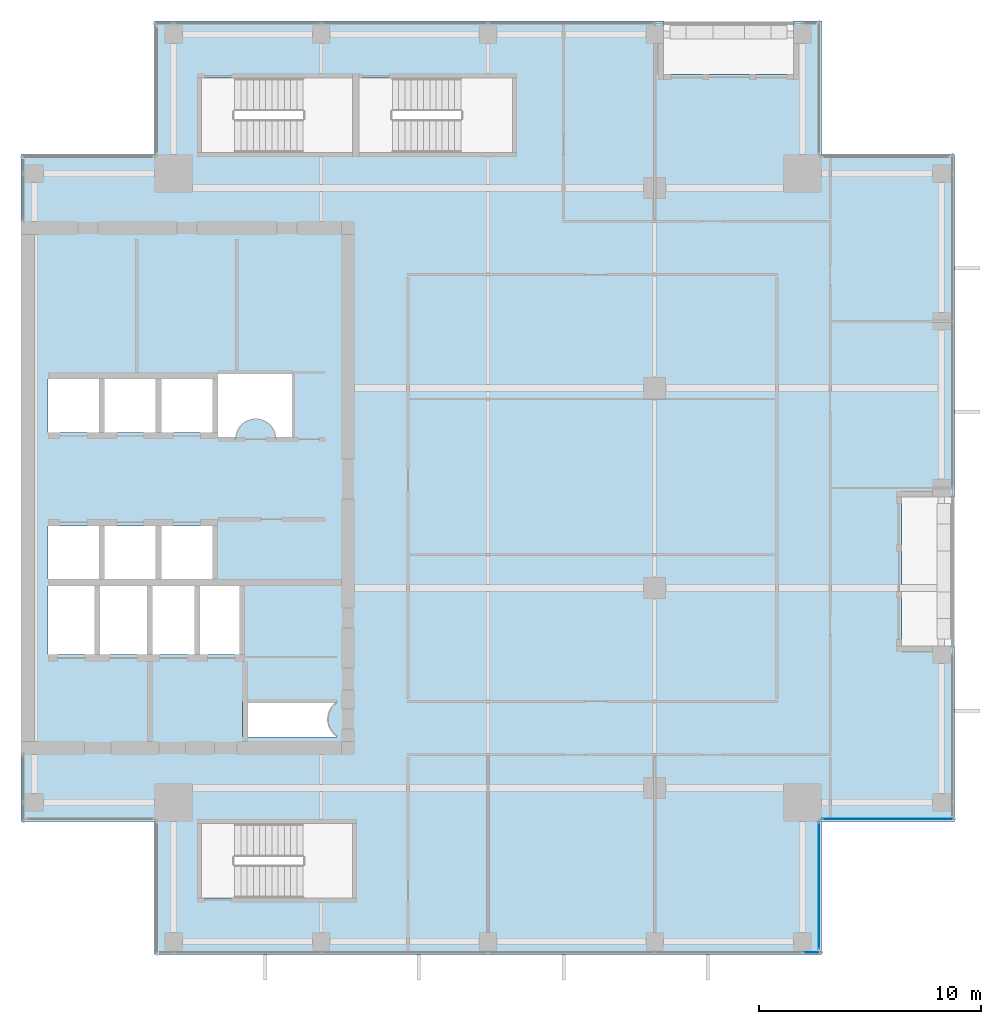
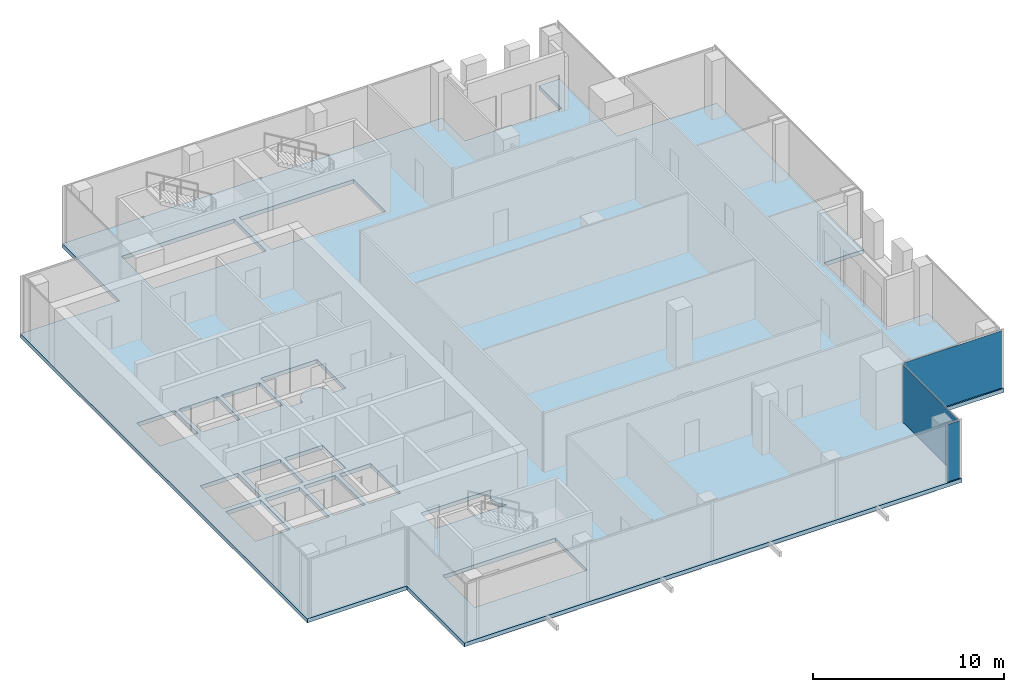
# One storey, part 20 of 29: 3 plates, 1 slab, 3 elements without a shape of their own.
"""IFC4 building model written with IfcOpenShell, lengths in metres."""

from ifc_helpers import new_model, si_unit, direction, frame, origin, origin_2d, place, context, subcontext, project, spatial, polyline, rectangle, outline, extrude, source, transform, mapped, material, layer, layer_set, type_object, element, aggregate, save


model = new_model("IFC4")

# Units and contexts
model_context = context("Model", 3, precision=1e-05, world=origin(), true_north=direction((0.0, 1.0)))
body_context = subcontext(model_context, "Body", "Model", "MODEL_VIEW")
ifc_project = project(units=[si_unit("LENGTHUNIT", "METRE"), si_unit("AREAUNIT", "SQUARE_METRE"), si_unit("VOLUMEUNIT", "CUBIC_METRE"), si_unit("PLANEANGLEUNIT", "RADIAN"), si_unit("MASSUNIT", "GRAM", prefix="KILO")], contexts=[model_context])

# Site, building, storey
site_placement = place(None, origin())
site = spatial("IfcSite", under=ifc_project, at=site_placement, CompositionType="ELEMENT")
building_placement = place(site_placement, origin())
building = spatial("IfcBuilding", under=site, at=building_placement, Name="Khomas Fold Tower", CompositionType="ELEMENT")
storey_placement = place(building_placement, frame((0.0, 0.0, 286.199951171875)))
storey = spatial("IfcBuildingStorey", under=building, at=storey_placement, Name="L64", CompositionType="ELEMENT", Elevation=286.199951171875)

# Slab
ifc_material_1 = material(Name="Concrete C40/50", Category="concrete")
ifc_layer_1 = layer(ifc_material_1, 0.25)
ifc_layer_set_1 = layer_set([ifc_layer_1], Name="Concrete C40/50")
slab_type = type_object("IfcSlabType", Name="RC floor slab 250", PredefinedType="FLOOR", material=ifc_layer_set_1)
shared_shape_1 = source(origin(), body_context, "Body", "SweptSolid", [
    extrude(outline(polyline([(6.0, 12.0), (12.0, 12.0), (12.0, 6.0), (42.0, 6.0), (42.0, 12.0), (48.0, 12.0), (48.0, 19.89990234375), (45.60009765625, 19.89990234375), (45.60009765625, 26.60009765625), (48.0, 26.60009765625), (48.0, 42.0), (42.0, 42.0), (42.0, 48.0), (40.75, 48.0), (40.75, 45.60009765625), (34.89990234375, 45.60009765625), (34.89990234375, 48.0), (12.0, 48.0), (12.0, 42.0), (6.0, 42.0), (6.0, 12.0)]), holes=[polyline([(7.199951171875, 19.5), (7.199951171875, 22.60009765625), (9.300048828125, 22.60009765625), (9.300048828125, 19.5), (7.199951171875, 19.5)]), polyline([(7.199951171875, 22.89990234375), (7.199951171875, 25.300048828125), (9.5, 25.300048828125), (9.5, 22.89990234375), (7.199951171875, 22.89990234375)]), polyline([(7.199951171875, 29.5), (7.199951171875, 31.89990234375), (9.5, 31.89990234375), (9.5, 29.5), (7.199951171875, 29.5)]), polyline([(9.550048828125, 19.5), (9.550048828125, 22.60009765625), (11.64990234375, 22.60009765625), (11.64990234375, 19.5), (9.550048828125, 19.5)]), polyline([(9.75, 22.89990234375), (9.75, 25.300048828125), (12.050048828125, 25.300048828125), (12.050048828125, 22.89990234375), (9.75, 22.89990234375)]), polyline([(9.75, 29.5), (9.75, 31.89990234375), (12.050048828125, 31.89990234375), (12.050048828125, 29.5), (9.75, 29.5)]), polyline([(11.89990234375, 19.5), (11.89990234375, 22.60009765625), (13.800048828125, 22.60009765625), (13.800048828125, 19.5), (11.89990234375, 19.5)]), polyline([(12.300048828125, 22.89990234375), (12.300048828125, 25.300048828125), (14.60009765625, 25.300048828125), (14.60009765625, 22.89990234375), (12.300048828125, 22.89990234375)]), polyline([(12.300048828125, 29.5), (12.300048828125, 31.89990234375), (14.60009765625, 31.89990234375), (14.60009765625, 29.5), (12.300048828125, 29.5)]), polyline([(14.050048828125, 19.5), (14.050048828125, 22.60009765625), (15.949951171875, 22.60009765625), (15.949951171875, 19.5), (14.050048828125, 19.5)]), polyline([(14.10009765625, 8.550048828125), (14.10009765625, 11.89990234375), (20.89990234375, 11.89990234375), (20.89990234375, 8.550048828125), (14.10009765625, 8.550048828125)]), polyline([(14.10009765625, 42.10009765625), (14.10009765625, 45.449951171875), (20.89990234375, 45.449951171875), (20.89990234375, 42.10009765625), (14.10009765625, 42.10009765625)]), polyline([(14.85009765625, 29.199951171875), (14.85009765625, 32.199951171875), (18.25, 32.199951171875), (18.25, 29.199951171875), (17.449951171875, 29.199951171875), (17.44580078125, 29.2880859375), (17.4326171875, 29.37548828125), (17.4111328125, 29.461181640625), (17.381591796875, 29.54443359375), (17.34375, 29.624267578125), (17.29833984375, 29.699951171875), (17.24560546875, 29.77099609375), (17.186279296875, 29.83642578125), (17.12109375, 29.895751953125), (17.050048828125, 29.9482421875), (16.974365234375, 29.99365234375), (16.894287109375, 30.031494140625), (16.811279296875, 30.061279296875), (16.7255859375, 30.082763671875), (16.63818359375, 30.095703125), (16.550048828125, 30.10009765625), (16.4619140625, 30.095703125), (16.37451171875, 30.082763671875), (16.288818359375, 30.061279296875), (16.20556640625, 30.031494140625), (16.125732421875, 29.99365234375), (16.050048828125, 29.9482421875), (15.97900390625, 29.895751953125), (15.91357421875, 29.83642578125), (15.854248046875, 29.77099609375), (15.8017578125, 29.699951171875), (15.75634765625, 29.624267578125), (15.718505859375, 29.54443359375), (15.688720703125, 29.461181640625), (15.667236328125, 29.37548828125), (15.654296875, 29.2880859375), (15.64990234375, 29.199951171875), (14.85009765625, 29.199951171875)]), polyline([(15.949951171875, 15.800048828125), (15.949951171875, 17.39990234375), (20.199951171875, 17.39990234375), (20.199951171875, 17.348388671875), (20.199951171875, 17.348388671875), (20.12890625, 17.295654296875), (20.063720703125, 17.236328125), (20.00439453125, 17.1708984375), (19.95166015625, 17.10009765625), (19.90625, 17.0244140625), (19.868408203125, 16.9443359375), (19.8388671875, 16.861328125), (19.8173828125, 16.775634765625), (19.80419921875, 16.688232421875), (19.800048828125, 16.60009765625), (19.80419921875, 16.51171875), (19.8173828125, 16.42431640625), (19.8388671875, 16.338623046875), (19.868408203125, 16.255615234375), (19.90625, 16.17578125), (19.95166015625, 16.10009765625), (20.00439453125, 16.029052734375), (20.063720703125, 15.963623046875), (20.12890625, 15.904296875), (20.199951171875, 15.851806640625), (20.199951171875, 15.851806640625), (20.199951171875, 15.800048828125), (15.949951171875, 15.800048828125)]), polyline([(21.199951171875, 42.10009765625), (21.199951171875, 45.449951171875), (28.10009765625, 45.449951171875), (28.10009765625, 42.10009765625), (21.199951171875, 42.10009765625)])]), origin(), (0.0, 0.0, 1.0), 0.25),
])
slab_placement = place(storey_placement, frame((0.0, 0.0, -0.25)))
element("IfcSlab", 1, at=slab_placement, inside=storey, type_object=slab_type, Name="S-L64", PredefinedType="FLOOR", context=body_context, shape_type="MappedRepresentation", body=[
    mapped(shared_shape_1, transform((0.0, 0.0, 0.0))),
])

# Curtain wall, plate
ifc_material_2 = material(Name="Aluminium framed double glazing", Category="aluminium")
curtain_wall_type = type_object("IfcCurtainWallType", Name="SK-Unitised clear-glass wall, upper floors CW3", PredefinedType="NOTDEFINED", material=ifc_material_2)
curtain_wall_1_placement = place(storey_placement, origin())
curtain_wall_1 = element("IfcCurtainWall", 2, at=curtain_wall_1_placement, inside=storey, type_object=curtain_wall_type, Name="CW3 run L64 00-0", PredefinedType="NOTDEFINED")
ifc_material_3 = material(Name="Clear double glazed unit")
ifc_layer_2 = layer(ifc_material_3, 0.028076171875)
ifc_layer_set_2 = layer_set([ifc_layer_2], Name="Clear double glazed unit")
plate_type = type_object("IfcPlateType", Name="SK-Unitised clear-glass wall, upper floors glass panel CW3-P", PredefinedType="CURTAIN_PANEL", material=ifc_layer_set_2)
shared_shape_2 = source(origin(), body_context, "Body", "SweptSolid", [
    extrude(rectangle(XDim=0.77490234375, YDim=0.028076171875, at=origin_2d()), origin(), (0.0, 0.0, 1.0), 3.64990234375),
])
plate_1_placement = place(storey_placement, frame((41.5625, 6.10009765625, 0.0), z_axis=(0.0, 0.0, 1.0), x_axis=(1.0, 0.0, 0.0)))
plate_1 = element("IfcPlate", 3, at=plate_1_placement, type_object=plate_type, Name="CW3 glass panel 6", PredefinedType="CURTAIN_PANEL", context=body_context, shape_type="MappedRepresentation", body=[
    mapped(shared_shape_2, transform((0.0, 0.0, 0.0))),
])
aggregate(curtain_wall_1, [plate_1])

curtain_wall_2_placement = place(storey_placement, origin())
curtain_wall_2 = element("IfcCurtainWall", 4, at=curtain_wall_2_placement, inside=storey, type_object=curtain_wall_type, Name="CW3 corner return L64 01", PredefinedType="NOTDEFINED")
shared_shape_3 = source(origin(), body_context, "Body", "SweptSolid", [
    extrude(rectangle(XDim=5.699951171875, YDim=0.028076171875, at=origin_2d()), origin(), (0.0, 0.0, 1.0), 3.64990234375),
])
plate_2_placement = place(storey_placement, frame((41.89990234375, 9.10009765625, 0.0), z_axis=(0.0, 0.0, 1.0), x_axis=(0.0, 1.0, 0.0)))
plate_2 = element("IfcPlate", 5, at=plate_2_placement, type_object=plate_type, Name="CW3 glass panel 1", PredefinedType="CURTAIN_PANEL", context=body_context, shape_type="MappedRepresentation", body=[
    mapped(shared_shape_3, transform((0.0, 0.0, 0.0))),
])
aggregate(curtain_wall_2, [plate_2])

curtain_wall_3_placement = place(storey_placement, origin())
curtain_wall_3 = element("IfcCurtainWall", 6, at=curtain_wall_3_placement, inside=storey, type_object=curtain_wall_type, Name="CW3 corner return L64 02", PredefinedType="NOTDEFINED")
shared_shape_4 = source(origin(), body_context, "Body", "SweptSolid", [
    extrude(rectangle(XDim=5.89990234375, YDim=0.028076171875, at=origin_2d()), origin(), (0.0, 0.0, 1.0), 3.64990234375),
])
plate_3_placement = place(storey_placement, frame((45.0, 12.10009765625, 0.0), z_axis=(0.0, 0.0, 1.0), x_axis=(1.0, 0.0, 0.0)))
plate_3 = element("IfcPlate", 7, at=plate_3_placement, type_object=plate_type, Name="CW3 glass panel 1", PredefinedType="CURTAIN_PANEL", context=body_context, shape_type="MappedRepresentation", body=[
    mapped(shared_shape_4, transform((0.0, 0.0, 0.0))),
])
aggregate(curtain_wall_3, [plate_3])

save(model, "model.ifc")
